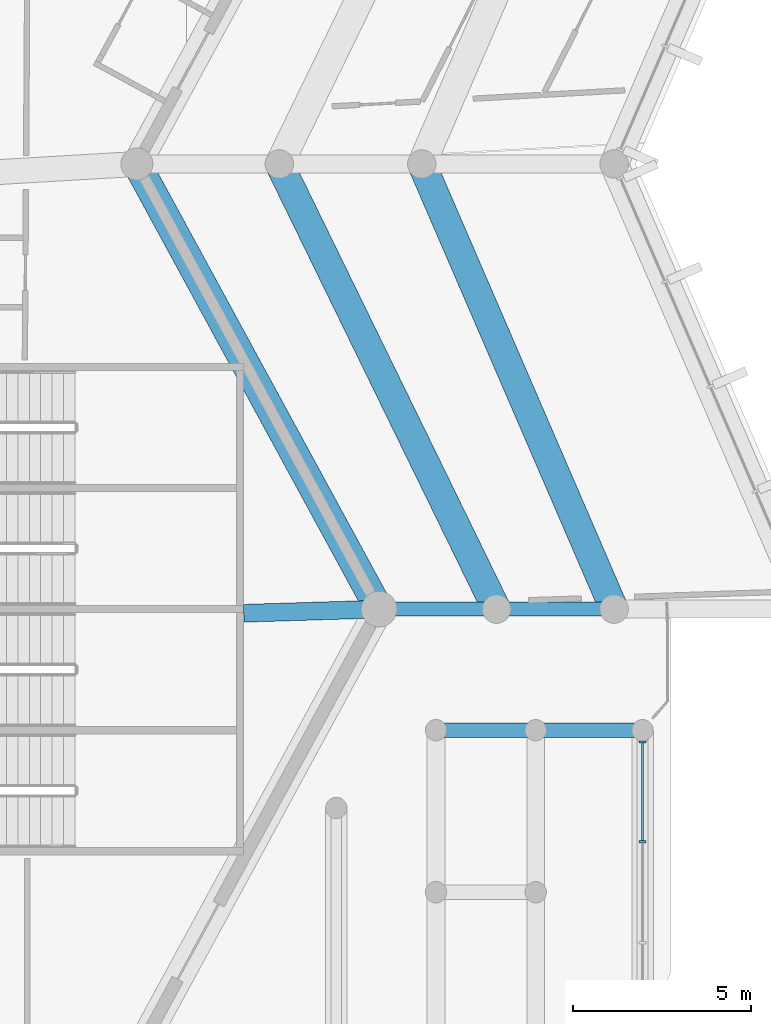
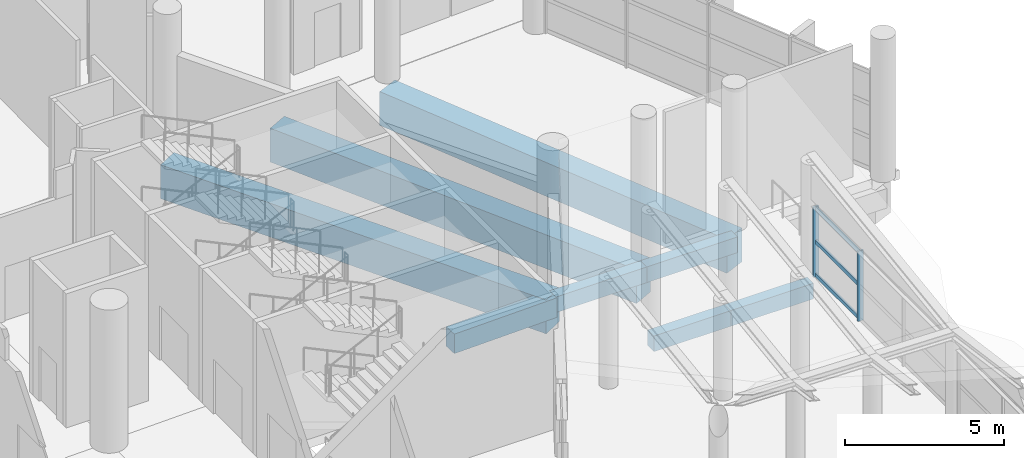
# One storey, part 97 of 271: 8 beams, 5 members, 1 element without a shape of its own.
"""IFC4 building model written with IfcOpenShell, lengths in metres."""

import ifcopenshell
import ifcopenshell.guid

model = None  # the IFC model being written
_history = None  # IfcOwnerHistory: only IFC2X3 demands one
_inside = {}  # id of a spatial element -> (the spatial element, [elements in it])
_under = {}  # id of a project, library or spatial element -> (it, [spatial elements below it])
_declared = {}  # id of a project -> (the project, [libraries it declares])
_typed = {}  # id of a type object -> (the type object, [elements of that type])
_made_of = {}  # id of a material, layer set ... -> (it, [elements and type objects made of it])


def new_model(schema):
    """Start an empty IFC model of exactly this schema.

    Asked for "IFC4X3", IfcOpenShell would pick the latest addendum, in which some entities
    have other attributes; the version numbers below select the first issue.
    IFC2X3 requires an IfcOwnerHistory on every rooted entity: one is made here for all.
    """
    global model, _history
    if schema == "IFC4X3":
        model = ifcopenshell.file(schema_version=(4, 3, 0, 0))
    else:
        model = ifcopenshell.file(schema=schema)
    _inside.clear()
    _under.clear()
    _declared.clear()
    _typed.clear()
    _made_of.clear()
    _history = None
    if model.schema == "IFC2X3":
        org = make("IfcOrganization", Name="unknown")
        user = make(
            "IfcPersonAndOrganization",
            ThePerson=make("IfcPerson", FamilyName="unknown"),
            TheOrganization=org,
        )
        app = make(
            "IfcApplication",
            ApplicationDeveloper=org,
            Version="unknown",
            ApplicationFullName="unknown",
            ApplicationIdentifier="unknown",
        )
        _history = make(
            "IfcOwnerHistory",
            OwningUser=user,
            OwningApplication=app,
            ChangeAction="ADDED",
            CreationDate=0,
        )
    return model


def make(cls, **values):
    """One entity of the class cls with the attributes given. An attribute that is None is left unset."""
    return model.create_entity(
        cls, **{name: value for name, value in values.items() if value is not None}
    )


def rooted(cls, **values):
    """An entity with a GlobalId (a new one), such as an element, a storey or a relation."""
    return make(cls, GlobalId=ifcopenshell.guid.new(), OwnerHistory=_history, **values)


def si_unit(unit_type, name, prefix=None):
    """IfcSIUnit, for example si_unit("LENGTHUNIT", "METRE", prefix="MILLI")."""
    return make("IfcSIUnit", UnitType=unit_type, Prefix=prefix, Name=name)


def assignment(units):
    """IfcUnitAssignment: the units of a project."""
    return None if units is None else make("IfcUnitAssignment", Units=units)


def point(xyz):
    """IfcCartesianPoint."""
    return None if xyz is None else make("IfcCartesianPoint", Coordinates=xyz)


def direction(xyz):
    """IfcDirection."""
    return None if xyz is None else make("IfcDirection", DirectionRatios=xyz)


def frame(location, z_axis=None, x_axis=None):
    """IfcAxis2Placement3D, a coordinate frame: its origin and axes. An axis left out is left unset."""
    return make(
        "IfcAxis2Placement3D",
        Location=point(location),
        Axis=direction(z_axis),
        RefDirection=direction(x_axis),
    )


def frame_2d(location, x_axis=None):
    """IfcAxis2Placement2D, a coordinate frame in the plane: its origin and x axis."""
    return make(
        "IfcAxis2Placement2D", Location=point(location), RefDirection=direction(x_axis)
    )


def origin():
    """The frame at (0, 0, 0) with its axes left unset."""
    return frame((0.0, 0.0, 0.0))


def origin_2d():
    """The frame at (0, 0) in the plane with its x axis left unset."""
    return frame_2d((0.0, 0.0))


def place(relative_to, where):
    """IfcLocalPlacement: puts the frame where relative to a parent placement (None: the world)."""
    return make(
        "IfcLocalPlacement", PlacementRelTo=relative_to, RelativePlacement=where
    )


def context(
    kind, dimensions, precision=None, world=None, true_north=None, identifier=None
):
    """IfcGeometricRepresentationContext, for example the 3D "Model" context."""
    return make(
        "IfcGeometricRepresentationContext",
        ContextIdentifier=identifier,
        ContextType=kind,
        CoordinateSpaceDimension=dimensions,
        Precision=precision,
        WorldCoordinateSystem=world,
        TrueNorth=true_north,
    )


def subcontext(parent, identifier, kind, view, scale=None):
    """IfcGeometricRepresentationSubContext, for example "Body" below "Model"."""
    return make(
        "IfcGeometricRepresentationSubContext",
        ContextIdentifier=identifier,
        ContextType=kind,
        ParentContext=parent,
        TargetScale=scale,
        TargetView=view,
    )


def project(units=None, contexts=None):
    """IfcProject with its units and contexts."""
    return rooted(
        "IfcProject",
        Name="project",
        RepresentationContexts=contexts,
        UnitsInContext=assignment(units),
    )


def spatial(cls, under=None, at=None, **own):
    """A site, building, storey or space (cls), placed at a placement, below another one or the project."""
    s = rooted(cls, ObjectPlacement=at, **own)
    if under is not None:
        _under.setdefault(under.id(), (under, []))[1].append(s)
    return s


def profile(cls, at=None, kind="AREA", **sizes):
    """A parametric profile (cls). Its sizes go by their IFC names, for example OverallWidth=200.0."""
    return make(cls, ProfileType=kind, Position=at, **sizes)


def rectangle(**sizes):
    """IfcRectangleProfileDef."""
    return profile("IfcRectangleProfileDef", **sizes)


def extrude(swept, where, along, depth):
    """IfcExtrudedAreaSolid: the profile swept, set in the frame where, extruded along a direction by depth."""
    return make(
        "IfcExtrudedAreaSolid",
        SweptArea=swept,
        Position=where,
        ExtrudedDirection=direction(along),
        Depth=depth,
    )


def shape(context_of_items, identifier, shape_type, items):
    """IfcShapeRepresentation: the items that make up one representation, for example the "Body"."""
    return make(
        "IfcShapeRepresentation",
        ContextOfItems=context_of_items,
        RepresentationIdentifier=identifier,
        RepresentationType=shape_type,
        Items=items,
    )


def material(Name=None, Category=None):
    """IfcMaterial."""
    return make("IfcMaterial", Name=Name, Category=Category)


def layer(
    of_material, thickness, ventilated=None, Name=None, Category=None, Priority=None
):
    """IfcMaterialLayer: one layer of a wall or slab, of a material (None: an air gap)."""
    return make(
        "IfcMaterialLayer",
        Material=of_material,
        LayerThickness=thickness,
        IsVentilated=ventilated,
        Name=Name,
        Category=Category,
        Priority=Priority,
    )


def layer_set(layers, Name=None):
    """IfcMaterialLayerSet."""
    return make("IfcMaterialLayerSet", MaterialLayers=layers, LayerSetName=Name)


def material_profile(
    of_material, cross_section, Name=None, Category=None, Priority=None
):
    """IfcMaterialProfile: a cross section and its material."""
    return make(
        "IfcMaterialProfile",
        Name=Name,
        Material=of_material,
        Profile=cross_section,
        Priority=Priority,
        Category=Category,
    )


def profile_set(profiles, Name=None, composite=None):
    """IfcMaterialProfileSet."""
    return make(
        "IfcMaterialProfileSet",
        Name=Name,
        MaterialProfiles=profiles,
        CompositeProfile=composite,
    )


def made_of(thing, what):
    """Note that an element or type object is made of a material, layer set ...; save() writes the relation."""
    if what is not None:
        _made_of.setdefault(what.id(), (what, []))[1].append(thing)
    return thing


def type_object(cls, material=None, **own):
    """A type object (cls), such as IfcWallType, which elements share."""
    return made_of(rooted(cls, **own), material)


def element(
    cls,
    number,
    at=None,
    inside=None,
    cuts=None,
    type_object=None,
    material=None,
    context=None,
    identifier="Body",
    shape_type=None,
    held_by="IfcProductDefinitionShape",
    body=None,
    shapes=None,
    **own,
):
    """One element of the class cls, such as IfcWall. Its Tag is "e" and its number.

    at: its placement. inside: the storey or other place that contains it. cuts: it is an
    opening in that element (IfcRelVoidsElement). A single representation is given by context,
    identifier, shape_type and body (its items); several are given by shapes. held_by: the class
    of the entity that holds the representations. save() writes the other relations.
    """
    e = rooted(cls, Tag="e%d" % number, ObjectPlacement=at, **own)
    if body is not None:
        shapes = [shape(context, identifier, shape_type, body)]
    if shapes is not None:
        e.Representation = make(held_by, Representations=shapes)
    if inside is not None:
        _inside.setdefault(inside.id(), (inside, []))[1].append(e)
    if cuts is not None:
        rooted(
            "IfcRelVoidsElement", RelatingBuildingElement=cuts, RelatedOpeningElement=e
        )
    if type_object is not None:
        _typed.setdefault(type_object.id(), (type_object, []))[1].append(e)
    return made_of(e, material)


def aggregate(whole, parts):
    """IfcRelAggregates: a whole, such as a stair, and the parts it consists of."""
    return rooted("IfcRelAggregates", RelatingObject=whole, RelatedObjects=parts)


def save(model, path):
    """Write the relations noted so far, then the file.

    IfcRelAggregates (storeys below a building ...), IfcRelContainedInSpatialStructure (elements
    in a storey), IfcRelDefinesByType, IfcRelAssociatesMaterial and IfcRelDeclares: one each for
    every whole, place, type object, material and project.
    """
    for whole, parts in _under.values():
        aggregate(whole, parts)
    for where, things in _inside.values():
        rooted(
            "IfcRelContainedInSpatialStructure",
            RelatedElements=things,
            RelatingStructure=where,
        )
    for kind, things in _typed.values():
        rooted("IfcRelDefinesByType", RelatedObjects=things, RelatingType=kind)
    for what, things in _made_of.values():
        rooted("IfcRelAssociatesMaterial", RelatedObjects=things, RelatingMaterial=what)
    for by, libraries in _declared.values():
        rooted("IfcRelDeclares", RelatingContext=by, RelatedDefinitions=libraries)
    model.write(path)


model = new_model("IFC4")

# Units and contexts
model_context = context("Model", 3, precision=1e-05, world=origin(), true_north=direction((0.0, 1.0)))
body_context = subcontext(model_context, "Body", "Model", "MODEL_VIEW")
ifc_project = project(units=[si_unit("LENGTHUNIT", "METRE"), si_unit("AREAUNIT", "SQUARE_METRE"), si_unit("VOLUMEUNIT", "CUBIC_METRE"), si_unit("PLANEANGLEUNIT", "RADIAN"), si_unit("MASSUNIT", "GRAM", prefix="KILO")], contexts=[model_context])

# Site, building, storey
site_placement = place(None, origin())
site = spatial("IfcSite", under=ifc_project, at=site_placement, CompositionType="ELEMENT")
building_placement = place(site_placement, origin())
building = spatial("IfcBuilding", under=site, at=building_placement, Name="Meseta Stadium", CompositionType="ELEMENT")
storey_placement = place(building_placement, frame((0.0, 0.0, 6.5)))
storey = spatial("IfcBuildingStorey", under=building, at=storey_placement, Name="L01", CompositionType="ELEMENT", Elevation=6.5)

# Beams
ifc_material_1 = material(Name="Concrete C40/50", Category="concrete")
ifc_material_profile_1 = material_profile(ifc_material_1, rectangle(XDim=0.39990234375, YDim=0.60009765625, at=origin_2d()), Name="RC 400x600")
ifc_profile_set_1 = profile_set([ifc_material_profile_1], Name="Concrete C40/50")
beam_type_1 = type_object("IfcBeamType", Name="RC beam 400x600", PredefinedType="BEAM", material=ifc_profile_set_1)
for number, where, z_axis, x_axis, name in (
    (1, (101.39990234375, 18.75, -0.64990234375), (1.0, 0.0, 0.0), (0.0, 1.0, 0.0), "L01 radial beam frame 6 line R to M"),
    (2, (104.699951171875, 18.75, -0.64990234375), (1.0, 0.0, 0.0), (0.0, 1.0, 0.0), "L01 radial beam frame 6 line M to Q"),
):
    element("IfcBeam", number, at=place(storey_placement, frame(where, z_axis=z_axis, x_axis=x_axis)), inside=storey, type_object=beam_type_1, Name=name, PredefinedType="BEAM", context=body_context, shape_type="SweptSolid", body=[
        extrude(rectangle(XDim=0.39990234375, YDim=0.60009765625, at=origin_2d()), origin(), (0.0, 0.0, 1.0), 3.300048828125),
    ])
beam_1_placement = place(storey_placement, frame((103.0, 15.35009765625, -0.64990234375), z_axis=(1.0, 0.0, 0.0), x_axis=(0.0, 1.0, 0.0)))
element("IfcBeam", 3, at=beam_1_placement, inside=storey, type_object=beam_type_1, Name="Gate 1 floor beam", PredefinedType="BEAM", context=body_context, shape_type="SweptSolid", body=[
    extrude(rectangle(XDim=0.39990234375, YDim=0.60009765625, at=origin_2d()), origin(), (0.0, 0.0, 1.0), 2.800048828125),
])
beam_2_placement = place(storey_placement, frame((105.800048828125, 15.35009765625, -0.64990234375), z_axis=(1.0, 0.0, 0.0), x_axis=(0.0, 1.0, 0.0)))
element("IfcBeam", 4, at=beam_2_placement, inside=storey, type_object=beam_type_1, Name="Gate 1 floor beam", PredefinedType="BEAM", context=body_context, shape_type="SweptSolid", body=[
    extrude(rectangle(XDim=0.39990234375, YDim=0.60009765625, at=origin_2d()), origin(), (0.0, 0.0, 1.0), 3.0),
])
ifc_material_2 = material(Name="Concrete C40/50", Category="concrete")
ifc_material_profile_2 = material_profile(ifc_material_2, rectangle(XDim=0.5, YDim=0.75, at=origin_2d()), Name="RC 500x750")
ifc_profile_set_2 = profile_set([ifc_material_profile_2], Name="Concrete C40/50")
beam_type_2 = type_object("IfcBeamType", Name="RC beam 500x750", PredefinedType="BEAM", material=ifc_profile_set_2)
beam_3_placement = place(storey_placement, frame((97.60009765625, 18.6328125, -0.72509765625), z_axis=(0.99952477381, 0.030825744759, 0.0), x_axis=(-0.030825744759, 0.99952477381, 0.0)))
element("IfcBeam", 5, at=beam_3_placement, inside=storey, type_object=beam_type_2, Name="L01 radial beam frame 6 line P to R", PredefinedType="BEAM", context=body_context, shape_type="SweptSolid", body=[
    extrude(rectangle(XDim=0.5, YDim=0.75, at=origin_2d()), origin(), (0.0, 0.0, 1.0), 3.801513671875),
])
ifc_material_3 = material(Name="Concrete C40/50", Category="concrete")
ifc_material_profile_3 = material_profile(ifc_material_3, rectangle(XDim=0.800048828125, YDim=1.300048828125, at=origin_2d()), Name="RC 800x1300")
ifc_profile_set_3 = profile_set([ifc_material_profile_3], Name="Concrete C40/50")
beam_type_3 = type_object("IfcBeamType", Name="RC beam 800x1300", PredefinedType="BEAM", material=ifc_profile_set_3)
beam_4_placement = place(storey_placement, frame((101.39990234375, 18.75, -1.0), z_axis=(-0.47785649891, 0.878437912689, 0.0), x_axis=(-0.878437912689, -0.47785649891, 0.0)))
element("IfcBeam", 6, at=beam_4_placement, inside=storey, type_object=beam_type_3, Name="L01 ring beam frame 6 line R", PredefinedType="BEAM", context=body_context, shape_type="SweptSolid", body=[
    extrude(rectangle(XDim=0.800048828125, YDim=1.300048828125, at=origin_2d()), origin(), (0.0, 0.0, 1.0), 14.229736328125),
])
beam_5_placement = place(storey_placement, frame((104.699951171875, 18.75, -1.0), z_axis=(-0.438556770405, 0.898703487882, 0.0), x_axis=(-0.898703487882, -0.438556770405, 0.0)))
element("IfcBeam", 7, at=beam_5_placement, inside=storey, type_object=beam_type_3, Name="L01 ring beam frame 6 line M", PredefinedType="BEAM", context=body_context, shape_type="SweptSolid", body=[
    extrude(rectangle(XDim=0.800048828125, YDim=1.300048828125, at=origin_2d()), origin(), (0.0, 0.0, 1.0), 13.908935546875),
])
beam_6_placement = place(storey_placement, frame((108.0, 18.75, -1.0), z_axis=(-0.396570645327, 0.918004206562, 0.0), x_axis=(-0.918004206562, -0.396570645327, 0.0)))
element("IfcBeam", 8, at=beam_6_placement, inside=storey, type_object=beam_type_3, Name="L01 ring beam frame 6 line Q", PredefinedType="BEAM", context=body_context, shape_type="SweptSolid", body=[
    extrude(rectangle(XDim=0.800048828125, YDim=1.300048828125, at=origin_2d()), origin(), (0.0, 0.0, 1.0), 13.616455078125),
])

# Curtain wall, members
ifc_material_4 = material(Name="Aluminium", Category="aluminium")
ifc_layer = layer(ifc_material_4, 0.199951171875)
ifc_layer_set = layer_set([ifc_layer], Name="Gate hall curtain wall")
curtain_wall_type = type_object("IfcCurtainWallType", Name="Gate hall curtain wall", PredefinedType="NOTDEFINED", material=ifc_layer_set)
curtain_wall_placement = place(storey_placement, origin())
curtain_wall = element("IfcCurtainWall", 9, at=curtain_wall_placement, inside=storey, type_object=curtain_wall_type, Name="Gate 1 hall glazing", PredefinedType="NOTDEFINED")
ifc_material_5 = material(Name="Aluminium", Category="aluminium")
ifc_material_profile_4 = material_profile(ifc_material_5, rectangle(XDim=0.199951171875, YDim=0.06005859375, at=origin_2d()), Name="CW 200x60")
ifc_profile_set_4 = profile_set([ifc_material_profile_4], Name="Aluminium")
member_type_1 = type_object("IfcMemberType", Name="Ring CW mullion 60x200", PredefinedType="MULLION", material=ifc_profile_set_4)
member_1_placement = place(storey_placement, frame((108.800048828125, 15.02001953125, 0.0), z_axis=(0.0, 0.0, 1.0), x_axis=(1.0, 0.0, 0.0)))
member_1 = element("IfcMember", 10, at=member_1_placement, type_object=member_type_1, Name="CWG1 mullion 1", PredefinedType="MULLION", context=body_context, shape_type="SweptSolid", body=[
    extrude(rectangle(XDim=0.199951171875, YDim=0.06005859375, at=origin_2d()), origin(), (0.0, 0.0, 1.0), 2.696044921875),
])
member_2_placement = place(storey_placement, frame((108.800048828125, 12.216552734375, 0.0), z_axis=(0.0, 0.0, 1.0), x_axis=(1.0, 0.0, 0.0)))
member_2 = element("IfcMember", 11, at=member_2_placement, type_object=member_type_1, Name="CWG1 mullion 2", PredefinedType="MULLION", context=body_context, shape_type="SweptSolid", body=[
    extrude(rectangle(XDim=0.199951171875, YDim=0.06005859375, at=origin_2d()), origin(), (0.0, 0.0, 1.0), 2.696044921875),
])
ifc_material_6 = material(Name="Aluminium", Category="aluminium")
ifc_material_profile_5 = material_profile(ifc_material_6, rectangle(XDim=0.06005859375, YDim=0.14990234375, at=origin_2d()), Name="CW 60x150")
ifc_profile_set_5 = profile_set([ifc_material_profile_5], Name="Aluminium")
member_type_2 = type_object("IfcMemberType", Name="Ring CW transom 60x150", PredefinedType="USERDEFINED", material=ifc_profile_set_5)
member_3_placement = place(storey_placement, frame((108.800048828125, 14.989990234375, 0.074951171875), z_axis=(0.0, -1.0, 0.0), x_axis=(1.0, 0.0, 0.0)))
member_3 = element("IfcMember", 12, at=member_3_placement, type_object=member_type_2, Name="CWG1 transom 1.1", ObjectType="TRANSOM", PredefinedType="USERDEFINED", context=body_context, shape_type="SweptSolid", body=[
    extrude(rectangle(XDim=0.06005859375, YDim=0.14990234375, at=origin_2d()), origin(), (0.0, 0.0, 1.0), 2.743408203125),
])
member_4_placement = place(storey_placement, frame((108.800048828125, 14.989990234375, 1.347900390625), z_axis=(0.0, -1.0, 0.0), x_axis=(1.0, 0.0, 0.0)))
member_4 = element("IfcMember", 13, at=member_4_placement, type_object=member_type_2, Name="CWG1 transom 1.2", ObjectType="TRANSOM", PredefinedType="USERDEFINED", context=body_context, shape_type="SweptSolid", body=[
    extrude(rectangle(XDim=0.06005859375, YDim=0.14990234375, at=origin_2d()), origin(), (0.0, 0.0, 1.0), 2.743408203125),
])
member_5_placement = place(storey_placement, frame((108.800048828125, 14.989990234375, 2.62109375), z_axis=(0.0, -1.0, 0.0), x_axis=(1.0, 0.0, 0.0)))
member_5 = element("IfcMember", 14, at=member_5_placement, type_object=member_type_2, Name="CWG1 transom 1.3", ObjectType="TRANSOM", PredefinedType="USERDEFINED", context=body_context, shape_type="SweptSolid", body=[
    extrude(rectangle(XDim=0.06005859375, YDim=0.14990234375, at=origin_2d()), origin(), (0.0, 0.0, 1.0), 2.743408203125),
])
aggregate(curtain_wall, [member_1, member_2, member_3, member_4, member_5])

save(model, "model.ifc")
